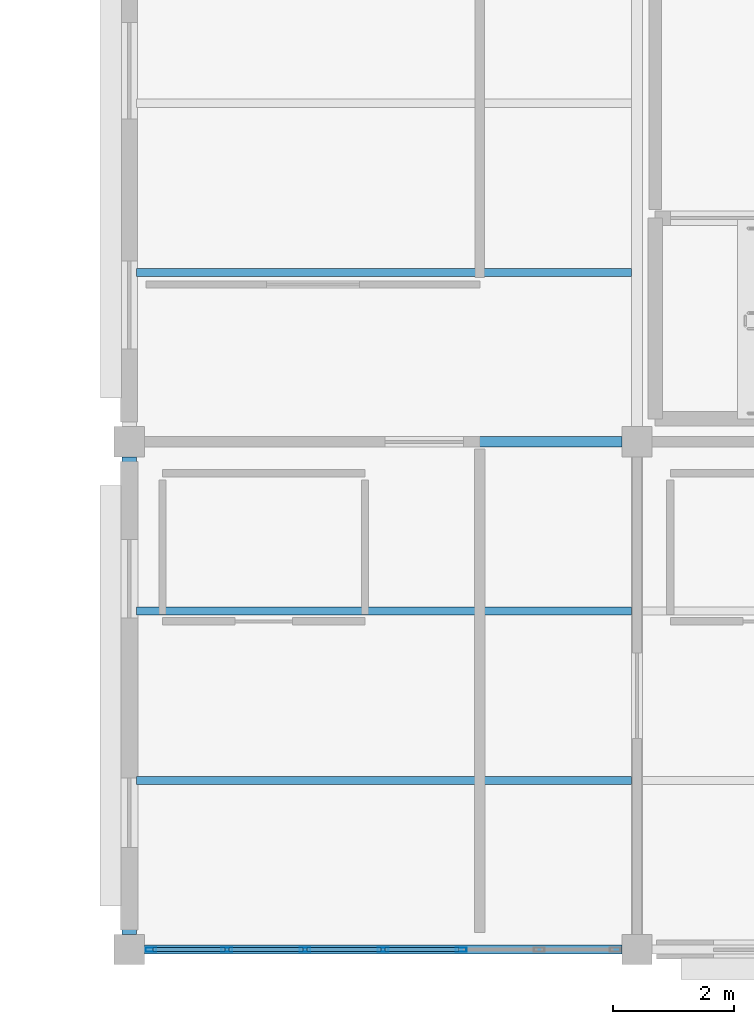
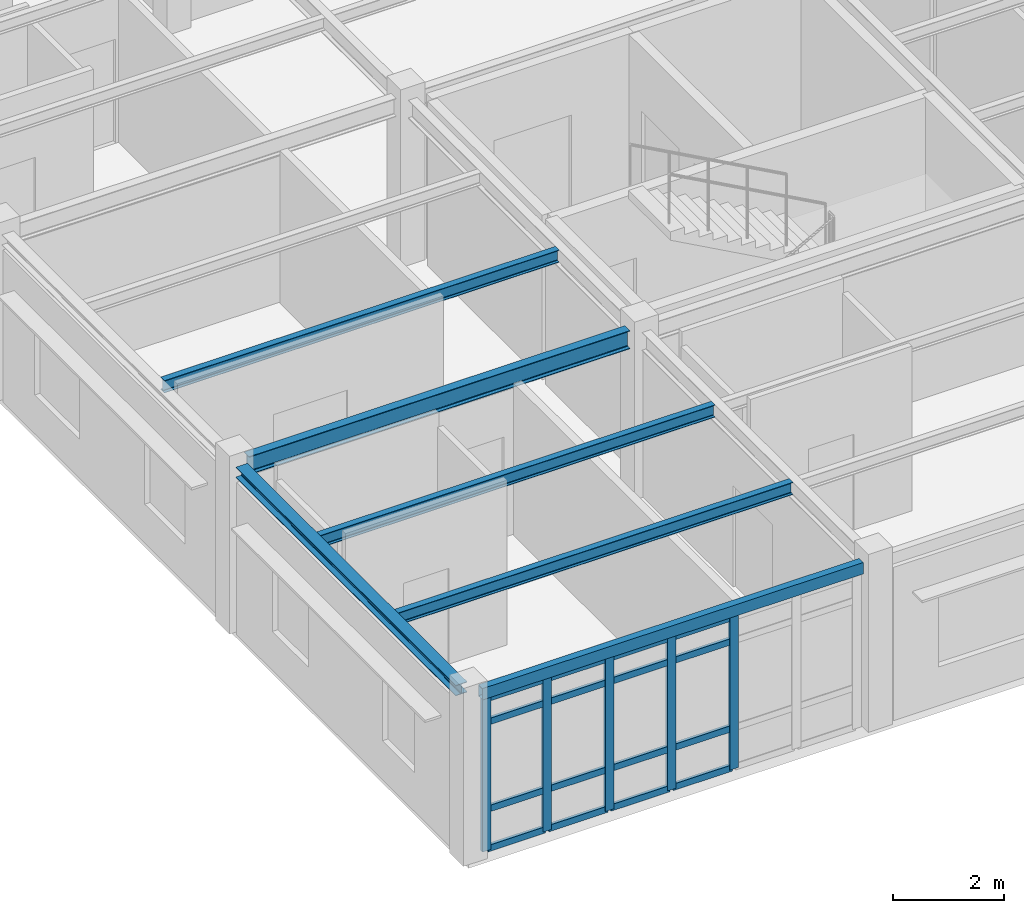
# One storey, part 2 of 53: 21 members, 6 beams, 1 element without a shape of its own.
"""IFC4 building model written with IfcOpenShell, lengths in metres."""

from ifc_helpers import new_model, si_unit, direction, frame, origin, origin_2d, place, context, subcontext, project, spatial, hollow_rectangle, i_section, extrude, material, layer, layer_set, material_profile, profile_set, type_object, element, aggregate, save


model = new_model("IFC4")

# Units and contexts
model_context = context("Model", 3, precision=1e-05, world=origin(), true_north=direction((0.0, 1.0)))
body_context = subcontext(model_context, "Body", "Model", "MODEL_VIEW")
ifc_project = project(units=[si_unit("LENGTHUNIT", "METRE"), si_unit("AREAUNIT", "SQUARE_METRE"), si_unit("VOLUMEUNIT", "CUBIC_METRE"), si_unit("PLANEANGLEUNIT", "RADIAN"), si_unit("MASSUNIT", "GRAM", prefix="KILO")], contexts=[model_context])

# Site, building, storey
site_placement = place(None, origin())
site = spatial("IfcSite", under=ifc_project, at=site_placement, CompositionType="ELEMENT")
building_placement = place(site_placement, origin())
building = spatial("IfcBuilding", under=site, at=building_placement, Name="Bramfleet General Hospital", CompositionType="ELEMENT")
storey_placement = place(building_placement, frame((0.0, 0.0, 26.39990234375)))
storey = spatial("IfcBuildingStorey", under=building, at=storey_placement, Name="L06", CompositionType="ELEMENT", Elevation=26.39990234375)

# Beams
ifc_material_1 = material(Name="Steel S355", Category="steel")
ifc_material_profile_1 = material_profile(ifc_material_1, i_section(OverallWidth=0.239990234375, OverallDepth=0.22998046875, WebThickness=0.007568359375, FlangeThickness=0.011962890625, FilletRadius=0.02099609375, at=origin_2d()), Name="HEA 240")
ifc_profile_set_1 = profile_set([ifc_material_profile_1], Name="Steel S355")
beam_type_1 = type_object("IfcBeamType", Name="BM-HEA240", PredefinedType="SPANDREL", material=ifc_profile_set_1)
beam_1_placement = place(storey_placement, frame((92.39990234375, 0.25, 3.505126953125), z_axis=(0.0, 1.0, 0.0), x_axis=(-1.0, 0.0, 0.0)))
element("IfcBeam", 1, at=beam_1_placement, inside=storey, type_object=beam_type_1, Name="L06 Grid Beam Y 11-00", PredefinedType="SPANDREL", context=body_context, shape_type="SweptSolid", body=[
    extrude(i_section(OverallWidth=0.239990234375, OverallDepth=0.22998046875, WebThickness=0.007568359375, FlangeThickness=0.011962890625, FilletRadius=0.02099609375, at=origin_2d()), origin(), (0.0, 0.0, 1.0), 7.89990234375),
])
ifc_material_profile_2 = material_profile(ifc_material_1, i_section(OverallWidth=0.135009765625, OverallDepth=0.27001953125, WebThickness=0.006591796875, FlangeThickness=0.01025390625, FilletRadius=0.014892578125, at=origin_2d()), Name="IPE 270")
ifc_profile_set_2 = profile_set([ifc_material_profile_2], Name="Steel S355")
beam_type_2 = type_object("IfcBeamType", Name="BM-IPE270", PredefinedType="JOIST", material=ifc_profile_set_2)
for number, where, z_axis, x_axis, name in (
    (2, (92.52001953125, 2.800048828125, 3.485107421875), (1.0, 0.0, 0.0), (0.0, 1.0, 0.0), "L06 Secondary Joist 11-00-1"),
    (3, (92.52001953125, 5.60009765625, 3.485107421875), (1.0, 0.0, 0.0), (0.0, 1.0, 0.0), "L06 Secondary Joist 11-00-2"),
    (4, (92.52001953125, 11.199951171875, 3.485107421875), (1.0, 0.0, 0.0), (0.0, 1.0, 0.0), "L06 Secondary Joist 11-01-1"),
):
    element("IfcBeam", number, at=place(storey_placement, frame(where, z_axis=z_axis, x_axis=x_axis)), inside=storey, type_object=beam_type_2, Name=name, PredefinedType="JOIST", context=body_context, shape_type="SweptSolid", body=[
        extrude(i_section(OverallWidth=0.135009765625, OverallDepth=0.27001953125, WebThickness=0.006591796875, FlangeThickness=0.01025390625, FilletRadius=0.014892578125, at=origin_2d()), origin(), (0.0, 0.0, 1.0), 8.18994140625),
    ])
ifc_material_profile_3 = material_profile(ifc_material_1, i_section(OverallWidth=0.179931640625, OverallDepth=0.39990234375, WebThickness=0.008544921875, FlangeThickness=0.013427734375, FilletRadius=0.02099609375, at=origin_2d()), Name="IPE 400")
ifc_profile_set_3 = profile_set([ifc_material_profile_3], Name="Steel S355")
beam_type_3 = type_object("IfcBeamType", Name="BM-IPE400", PredefinedType="BEAM", material=ifc_profile_set_3)
beam_2_placement = place(storey_placement, frame((92.64990234375, 8.39990234375, 3.420166015625), z_axis=(1.0, 0.0, 0.0), x_axis=(0.0, 1.0, 0.0)))
element("IfcBeam", 5, at=beam_2_placement, inside=storey, type_object=beam_type_3, Name="L06 Grid Beam X 11-01", PredefinedType="BEAM", context=body_context, shape_type="SweptSolid", body=[
    extrude(i_section(OverallWidth=0.179931640625, OverallDepth=0.39990234375, WebThickness=0.008544921875, FlangeThickness=0.013427734375, FilletRadius=0.02099609375, at=origin_2d()), origin(), (0.0, 0.0, 1.0), 7.900146484375),
])
ifc_material_profile_4 = material_profile(ifc_material_1, hollow_rectangle(XDim=0.14990234375, YDim=0.25, WallThickness=0.010009765625, at=origin_2d()), Name="RHS 250x150x10.0")
ifc_profile_set_4 = profile_set([ifc_material_profile_4], Name="Steel S355")
beam_type_4 = type_object("IfcBeamType", Name="BM-RHS250", PredefinedType="SPANDREL", material=ifc_profile_set_4)
beam_3_placement = place(storey_placement, frame((92.64990234375, 0.0, 3.4951171875), z_axis=(1.0, 0.0, 0.0), x_axis=(0.0, 1.0, 0.0)))
element("IfcBeam", 6, at=beam_3_placement, inside=storey, type_object=beam_type_4, Name="L06 Grid Beam X 11-00", PredefinedType="SPANDREL", context=body_context, shape_type="SweptSolid", body=[
    extrude(hollow_rectangle(XDim=0.14990234375, YDim=0.25, WallThickness=0.010009765625, at=origin_2d()), origin(), (0.0, 0.0, 1.0), 7.900146484375),
])

# Curtain wall, members
ifc_material_2 = material(Name="Anodised aluminium and low-E triple glazing", Category="aluminium")
ifc_layer = layer(ifc_material_2, 0.179931640625, Name="CWT-CW-05")
ifc_layer_set = layer_set([ifc_layer], Name="Anodised aluminium and low-E triple glazing")
curtain_wall_type = type_object("IfcCurtainWallType", Name="CWT-CW-05", PredefinedType="USERDEFINED", material=ifc_layer_set)
curtain_wall_placement = place(storey_placement, origin())
curtain_wall = element("IfcCurtainWall", 7, at=curtain_wall_placement, inside=storey, type_object=curtain_wall_type, Name="L06 Curtain Wall 221", ObjectType="Unitised curtain wall", PredefinedType="USERDEFINED")
ifc_material_3 = material(Name="Anodised aluminium EN AW-6060", Category="aluminium")
ifc_material_profile_5 = material_profile(ifc_material_3, hollow_rectangle(XDim=0.070068359375, YDim=0.179931640625, WallThickness=0.00390625, at=origin_2d()), Name="ALU 180x70x4.0")
ifc_profile_set_5 = profile_set([ifc_material_profile_5], Name="Anodised aluminium EN AW-6060")
member_type_1 = type_object("IfcMemberType", Name="CWM-ALU180", PredefinedType="MULLION", material=ifc_profile_set_5)
member_1_placement = place(storey_placement, frame((97.8916015625, 0.0, 0.0), z_axis=(0.0, 0.0, 1.0), x_axis=(0.0, -1.0, 0.0)))
member_1 = element("IfcMember", 8, at=member_1_placement, type_object=member_type_1, Name="CW-05 mullion 3", PredefinedType="MULLION", context=body_context, shape_type="SweptSolid", body=[
    extrude(hollow_rectangle(XDim=0.070068359375, YDim=0.179931640625, WallThickness=0.00390625, at=origin_2d()), origin(), (0.0, 0.0, 1.0), 3.360107421875),
])
member_2_placement = place(storey_placement, frame((96.60009765625, 0.0, 0.0), z_axis=(0.0, 0.0, 1.0), x_axis=(0.0, -1.0, 0.0)))
member_2 = element("IfcMember", 9, at=member_2_placement, type_object=member_type_1, Name="CW-05 mullion 4", PredefinedType="MULLION", context=body_context, shape_type="SweptSolid", body=[
    extrude(hollow_rectangle(XDim=0.070068359375, YDim=0.179931640625, WallThickness=0.00390625, at=origin_2d()), origin(), (0.0, 0.0, 1.0), 3.360107421875),
])
member_3_placement = place(storey_placement, frame((95.308349609375, 0.0, 0.0), z_axis=(0.0, 0.0, 1.0), x_axis=(0.0, -1.0, 0.0)))
member_3 = element("IfcMember", 10, at=member_3_placement, type_object=member_type_1, Name="CW-05 mullion 5", PredefinedType="MULLION", context=body_context, shape_type="SweptSolid", body=[
    extrude(hollow_rectangle(XDim=0.070068359375, YDim=0.179931640625, WallThickness=0.00390625, at=origin_2d()), origin(), (0.0, 0.0, 1.0), 3.360107421875),
])
member_4_placement = place(storey_placement, frame((94.0166015625, 0.0, 0.0), z_axis=(0.0, 0.0, 1.0), x_axis=(0.0, -1.0, 0.0)))
member_4 = element("IfcMember", 11, at=member_4_placement, type_object=member_type_1, Name="CW-05 mullion 6", PredefinedType="MULLION", context=body_context, shape_type="SweptSolid", body=[
    extrude(hollow_rectangle(XDim=0.070068359375, YDim=0.179931640625, WallThickness=0.00390625, at=origin_2d()), origin(), (0.0, 0.0, 1.0), 3.360107421875),
])
member_5_placement = place(storey_placement, frame((92.760009765625, 0.0, 0.0), z_axis=(0.0, 0.0, 1.0), x_axis=(0.0, -1.0, 0.0)))
member_5 = element("IfcMember", 12, at=member_5_placement, type_object=member_type_1, Name="CW-05 mullion 7", PredefinedType="MULLION", context=body_context, shape_type="SweptSolid", body=[
    extrude(hollow_rectangle(XDim=0.070068359375, YDim=0.179931640625, WallThickness=0.00390625, at=origin_2d()), origin(), (0.0, 0.0, 1.0), 3.360107421875),
])
ifc_material_profile_6 = material_profile(ifc_material_3, hollow_rectangle(XDim=0.06494140625, YDim=0.139892578125, WallThickness=0.00390625, at=origin_2d()), Name="ALU 140x65x4.0")
ifc_profile_set_6 = profile_set([ifc_material_profile_6], Name="Anodised aluminium EN AW-6060")
member_type_2 = type_object("IfcMemberType", Name="CWT-ALU140", PredefinedType="USERDEFINED", material=ifc_profile_set_6)
member_6_placement = place(storey_placement, frame((97.856689453125, 0.0, 0.03271484375), z_axis=(-1.0, 0.0, 0.0), x_axis=(0.0, -1.0, 0.0)))
member_6 = element("IfcMember", 13, at=member_6_placement, type_object=member_type_2, Name="CW-05 transom 3.1", ObjectType="TRANSOM", PredefinedType="USERDEFINED", context=body_context, shape_type="SweptSolid", body=[
    extrude(hollow_rectangle(XDim=0.06494140625, YDim=0.139892578125, WallThickness=0.00390625, at=origin_2d()), origin(), (0.0, 0.0, 1.0), 1.2216796875),
])
member_7_placement = place(storey_placement, frame((97.856689453125, 0.0, 0.900146484375), z_axis=(-1.0, 0.0, 0.0), x_axis=(0.0, -1.0, 0.0)))
member_7 = element("IfcMember", 14, at=member_7_placement, type_object=member_type_2, Name="CW-05 transom 3.2", ObjectType="TRANSOM", PredefinedType="USERDEFINED", context=body_context, shape_type="SweptSolid", body=[
    extrude(hollow_rectangle(XDim=0.06494140625, YDim=0.139892578125, WallThickness=0.00390625, at=origin_2d()), origin(), (0.0, 0.0, 1.0), 1.2216796875),
])
member_8_placement = place(storey_placement, frame((97.856689453125, 0.0, 2.81005859375), z_axis=(-1.0, 0.0, 0.0), x_axis=(0.0, -1.0, 0.0)))
member_8 = element("IfcMember", 15, at=member_8_placement, type_object=member_type_2, Name="CW-05 transom 3.3", ObjectType="TRANSOM", PredefinedType="USERDEFINED", context=body_context, shape_type="SweptSolid", body=[
    extrude(hollow_rectangle(XDim=0.06494140625, YDim=0.139892578125, WallThickness=0.00390625, at=origin_2d()), origin(), (0.0, 0.0, 1.0), 1.2216796875),
])
member_9_placement = place(storey_placement, frame((97.856689453125, 0.0, 3.32763671875), z_axis=(-1.0, 0.0, 0.0), x_axis=(0.0, -1.0, 0.0)))
member_9 = element("IfcMember", 16, at=member_9_placement, type_object=member_type_2, Name="CW-05 transom 3.4", ObjectType="TRANSOM", PredefinedType="USERDEFINED", context=body_context, shape_type="SweptSolid", body=[
    extrude(hollow_rectangle(XDim=0.06494140625, YDim=0.139892578125, WallThickness=0.00390625, at=origin_2d()), origin(), (0.0, 0.0, 1.0), 1.2216796875),
])
member_10_placement = place(storey_placement, frame((96.56494140625, 0.0, 0.03271484375), z_axis=(-1.0, 0.0, 0.0), x_axis=(0.0, -1.0, 0.0)))
member_10 = element("IfcMember", 17, at=member_10_placement, type_object=member_type_2, Name="CW-05 transom 4.1", ObjectType="TRANSOM", PredefinedType="USERDEFINED", context=body_context, shape_type="SweptSolid", body=[
    extrude(hollow_rectangle(XDim=0.06494140625, YDim=0.139892578125, WallThickness=0.00390625, at=origin_2d()), origin(), (0.0, 0.0, 1.0), 1.2216796875),
])
member_11_placement = place(storey_placement, frame((96.56494140625, 0.0, 0.900146484375), z_axis=(-1.0, 0.0, 0.0), x_axis=(0.0, -1.0, 0.0)))
member_11 = element("IfcMember", 18, at=member_11_placement, type_object=member_type_2, Name="CW-05 transom 4.2", ObjectType="TRANSOM", PredefinedType="USERDEFINED", context=body_context, shape_type="SweptSolid", body=[
    extrude(hollow_rectangle(XDim=0.06494140625, YDim=0.139892578125, WallThickness=0.00390625, at=origin_2d()), origin(), (0.0, 0.0, 1.0), 1.2216796875),
])
member_12_placement = place(storey_placement, frame((96.56494140625, 0.0, 2.81005859375), z_axis=(-1.0, 0.0, 0.0), x_axis=(0.0, -1.0, 0.0)))
member_12 = element("IfcMember", 19, at=member_12_placement, type_object=member_type_2, Name="CW-05 transom 4.3", ObjectType="TRANSOM", PredefinedType="USERDEFINED", context=body_context, shape_type="SweptSolid", body=[
    extrude(hollow_rectangle(XDim=0.06494140625, YDim=0.139892578125, WallThickness=0.00390625, at=origin_2d()), origin(), (0.0, 0.0, 1.0), 1.2216796875),
])
member_13_placement = place(storey_placement, frame((96.56494140625, 0.0, 3.32763671875), z_axis=(-1.0, 0.0, 0.0), x_axis=(0.0, -1.0, 0.0)))
member_13 = element("IfcMember", 20, at=member_13_placement, type_object=member_type_2, Name="CW-05 transom 4.4", ObjectType="TRANSOM", PredefinedType="USERDEFINED", context=body_context, shape_type="SweptSolid", body=[
    extrude(hollow_rectangle(XDim=0.06494140625, YDim=0.139892578125, WallThickness=0.00390625, at=origin_2d()), origin(), (0.0, 0.0, 1.0), 1.2216796875),
])
member_14_placement = place(storey_placement, frame((95.2734375, 0.0, 0.03271484375), z_axis=(-1.0, 0.0, 0.0), x_axis=(0.0, -1.0, 0.0)))
member_14 = element("IfcMember", 21, at=member_14_placement, type_object=member_type_2, Name="CW-05 transom 5.1", ObjectType="TRANSOM", PredefinedType="USERDEFINED", context=body_context, shape_type="SweptSolid", body=[
    extrude(hollow_rectangle(XDim=0.06494140625, YDim=0.139892578125, WallThickness=0.00390625, at=origin_2d()), origin(), (0.0, 0.0, 1.0), 1.2216796875),
])
member_15_placement = place(storey_placement, frame((95.2734375, 0.0, 0.900146484375), z_axis=(-1.0, 0.0, 0.0), x_axis=(0.0, -1.0, 0.0)))
member_15 = element("IfcMember", 22, at=member_15_placement, type_object=member_type_2, Name="CW-05 transom 5.2", ObjectType="TRANSOM", PredefinedType="USERDEFINED", context=body_context, shape_type="SweptSolid", body=[
    extrude(hollow_rectangle(XDim=0.06494140625, YDim=0.139892578125, WallThickness=0.00390625, at=origin_2d()), origin(), (0.0, 0.0, 1.0), 1.2216796875),
])
member_16_placement = place(storey_placement, frame((95.2734375, 0.0, 2.81005859375), z_axis=(-1.0, 0.0, 0.0), x_axis=(0.0, -1.0, 0.0)))
member_16 = element("IfcMember", 23, at=member_16_placement, type_object=member_type_2, Name="CW-05 transom 5.3", ObjectType="TRANSOM", PredefinedType="USERDEFINED", context=body_context, shape_type="SweptSolid", body=[
    extrude(hollow_rectangle(XDim=0.06494140625, YDim=0.139892578125, WallThickness=0.00390625, at=origin_2d()), origin(), (0.0, 0.0, 1.0), 1.2216796875),
])
member_17_placement = place(storey_placement, frame((95.2734375, 0.0, 3.32763671875), z_axis=(-1.0, 0.0, 0.0), x_axis=(0.0, -1.0, 0.0)))
member_17 = element("IfcMember", 24, at=member_17_placement, type_object=member_type_2, Name="CW-05 transom 5.4", ObjectType="TRANSOM", PredefinedType="USERDEFINED", context=body_context, shape_type="SweptSolid", body=[
    extrude(hollow_rectangle(XDim=0.06494140625, YDim=0.139892578125, WallThickness=0.00390625, at=origin_2d()), origin(), (0.0, 0.0, 1.0), 1.2216796875),
])
member_18_placement = place(storey_placement, frame((93.981689453125, 0.0, 0.03271484375), z_axis=(-1.0, 0.0, 0.0), x_axis=(0.0, -1.0, 0.0)))
member_18 = element("IfcMember", 25, at=member_18_placement, type_object=member_type_2, Name="CW-05 transom 6.1", ObjectType="TRANSOM", PredefinedType="USERDEFINED", context=body_context, shape_type="SweptSolid", body=[
    extrude(hollow_rectangle(XDim=0.06494140625, YDim=0.139892578125, WallThickness=0.00390625, at=origin_2d()), origin(), (0.0, 0.0, 1.0), 1.186767578125),
])
member_19_placement = place(storey_placement, frame((93.981689453125, 0.0, 0.900146484375), z_axis=(-1.0, 0.0, 0.0), x_axis=(0.0, -1.0, 0.0)))
member_19 = element("IfcMember", 26, at=member_19_placement, type_object=member_type_2, Name="CW-05 transom 6.2", ObjectType="TRANSOM", PredefinedType="USERDEFINED", context=body_context, shape_type="SweptSolid", body=[
    extrude(hollow_rectangle(XDim=0.06494140625, YDim=0.139892578125, WallThickness=0.00390625, at=origin_2d()), origin(), (0.0, 0.0, 1.0), 1.186767578125),
])
member_20_placement = place(storey_placement, frame((93.981689453125, 0.0, 2.81005859375), z_axis=(-1.0, 0.0, 0.0), x_axis=(0.0, -1.0, 0.0)))
member_20 = element("IfcMember", 27, at=member_20_placement, type_object=member_type_2, Name="CW-05 transom 6.3", ObjectType="TRANSOM", PredefinedType="USERDEFINED", context=body_context, shape_type="SweptSolid", body=[
    extrude(hollow_rectangle(XDim=0.06494140625, YDim=0.139892578125, WallThickness=0.00390625, at=origin_2d()), origin(), (0.0, 0.0, 1.0), 1.186767578125),
])
member_21_placement = place(storey_placement, frame((93.981689453125, 0.0, 3.32763671875), z_axis=(-1.0, 0.0, 0.0), x_axis=(0.0, -1.0, 0.0)))
member_21 = element("IfcMember", 28, at=member_21_placement, type_object=member_type_2, Name="CW-05 transom 6.4", ObjectType="TRANSOM", PredefinedType="USERDEFINED", context=body_context, shape_type="SweptSolid", body=[
    extrude(hollow_rectangle(XDim=0.06494140625, YDim=0.139892578125, WallThickness=0.00390625, at=origin_2d()), origin(), (0.0, 0.0, 1.0), 1.186767578125),
])
aggregate(curtain_wall, [member_1, member_2, member_3, member_4, member_5, member_6, member_7, member_8, member_9, member_10, member_11, member_12, member_13, member_14, member_15, member_16, member_17, member_18, member_19, member_20, member_21])

save(model, "model.ifc")
